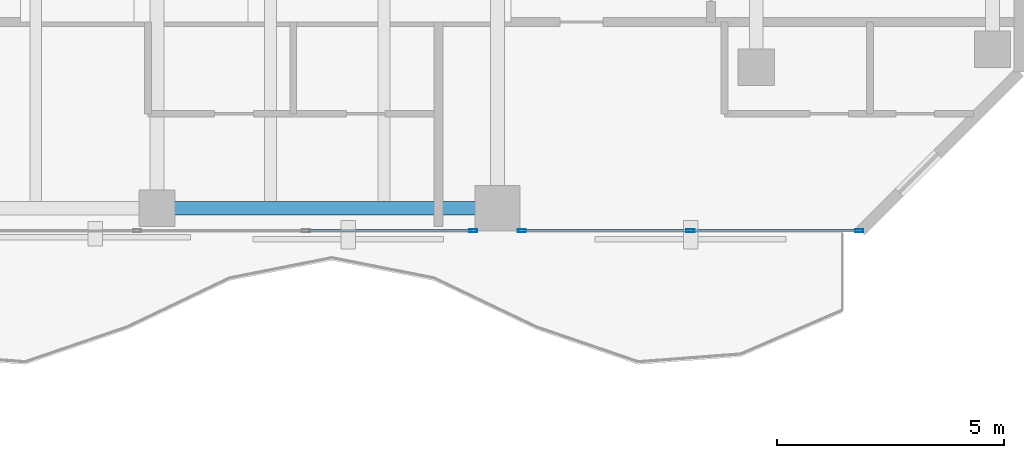
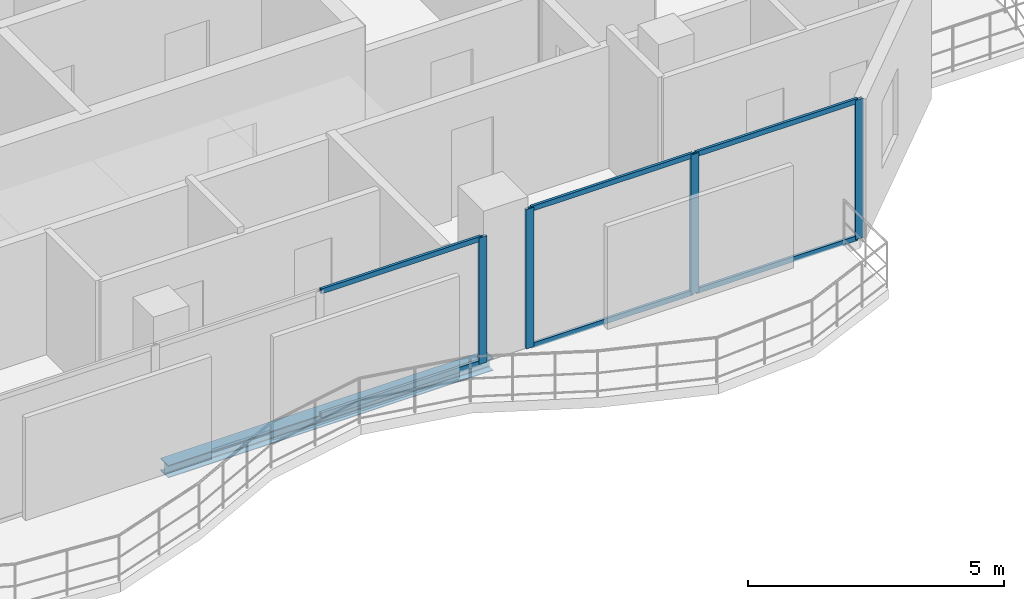
# One storey, part 12 of 23: 10 members, 1 beam, 2 elements without a shape of their own.
"""IFC4 building model written with IfcOpenShell, lengths in metres."""

import ifcopenshell
import ifcopenshell.guid

model = None  # the IFC model being written
_history = None  # IfcOwnerHistory: only IFC2X3 demands one
_inside = {}  # id of a spatial element -> (the spatial element, [elements in it])
_under = {}  # id of a project, library or spatial element -> (it, [spatial elements below it])
_declared = {}  # id of a project -> (the project, [libraries it declares])
_typed = {}  # id of a type object -> (the type object, [elements of that type])
_made_of = {}  # id of a material, layer set ... -> (it, [elements and type objects made of it])


def new_model(schema):
    """Start an empty IFC model of exactly this schema.

    Asked for "IFC4X3", IfcOpenShell would pick the latest addendum, in which some entities
    have other attributes; the version numbers below select the first issue.
    IFC2X3 requires an IfcOwnerHistory on every rooted entity: one is made here for all.
    """
    global model, _history
    if schema == "IFC4X3":
        model = ifcopenshell.file(schema_version=(4, 3, 0, 0))
    else:
        model = ifcopenshell.file(schema=schema)
    _inside.clear()
    _under.clear()
    _declared.clear()
    _typed.clear()
    _made_of.clear()
    _history = None
    if model.schema == "IFC2X3":
        org = make("IfcOrganization", Name="unknown")
        user = make(
            "IfcPersonAndOrganization",
            ThePerson=make("IfcPerson", FamilyName="unknown"),
            TheOrganization=org,
        )
        app = make(
            "IfcApplication",
            ApplicationDeveloper=org,
            Version="unknown",
            ApplicationFullName="unknown",
            ApplicationIdentifier="unknown",
        )
        _history = make(
            "IfcOwnerHistory",
            OwningUser=user,
            OwningApplication=app,
            ChangeAction="ADDED",
            CreationDate=0,
        )
    return model


def make(cls, **values):
    """One entity of the class cls with the attributes given. An attribute that is None is left unset."""
    return model.create_entity(
        cls, **{name: value for name, value in values.items() if value is not None}
    )


def rooted(cls, **values):
    """An entity with a GlobalId (a new one), such as an element, a storey or a relation."""
    return make(cls, GlobalId=ifcopenshell.guid.new(), OwnerHistory=_history, **values)


def si_unit(unit_type, name, prefix=None):
    """IfcSIUnit, for example si_unit("LENGTHUNIT", "METRE", prefix="MILLI")."""
    return make("IfcSIUnit", UnitType=unit_type, Prefix=prefix, Name=name)


def assignment(units):
    """IfcUnitAssignment: the units of a project."""
    return None if units is None else make("IfcUnitAssignment", Units=units)


def point(xyz):
    """IfcCartesianPoint."""
    return None if xyz is None else make("IfcCartesianPoint", Coordinates=xyz)


def direction(xyz):
    """IfcDirection."""
    return None if xyz is None else make("IfcDirection", DirectionRatios=xyz)


def frame(location, z_axis=None, x_axis=None):
    """IfcAxis2Placement3D, a coordinate frame: its origin and axes. An axis left out is left unset."""
    return make(
        "IfcAxis2Placement3D",
        Location=point(location),
        Axis=direction(z_axis),
        RefDirection=direction(x_axis),
    )


def frame_2d(location, x_axis=None):
    """IfcAxis2Placement2D, a coordinate frame in the plane: its origin and x axis."""
    return make(
        "IfcAxis2Placement2D", Location=point(location), RefDirection=direction(x_axis)
    )


def origin():
    """The frame at (0, 0, 0) with its axes left unset."""
    return frame((0.0, 0.0, 0.0))


def origin_2d():
    """The frame at (0, 0) in the plane with its x axis left unset."""
    return frame_2d((0.0, 0.0))


def place(relative_to, where):
    """IfcLocalPlacement: puts the frame where relative to a parent placement (None: the world)."""
    return make(
        "IfcLocalPlacement", PlacementRelTo=relative_to, RelativePlacement=where
    )


def context(
    kind, dimensions, precision=None, world=None, true_north=None, identifier=None
):
    """IfcGeometricRepresentationContext, for example the 3D "Model" context."""
    return make(
        "IfcGeometricRepresentationContext",
        ContextIdentifier=identifier,
        ContextType=kind,
        CoordinateSpaceDimension=dimensions,
        Precision=precision,
        WorldCoordinateSystem=world,
        TrueNorth=true_north,
    )


def subcontext(parent, identifier, kind, view, scale=None):
    """IfcGeometricRepresentationSubContext, for example "Body" below "Model"."""
    return make(
        "IfcGeometricRepresentationSubContext",
        ContextIdentifier=identifier,
        ContextType=kind,
        ParentContext=parent,
        TargetScale=scale,
        TargetView=view,
    )


def project(units=None, contexts=None):
    """IfcProject with its units and contexts."""
    return rooted(
        "IfcProject",
        Name="project",
        RepresentationContexts=contexts,
        UnitsInContext=assignment(units),
    )


def spatial(cls, under=None, at=None, **own):
    """A site, building, storey or space (cls), placed at a placement, below another one or the project."""
    s = rooted(cls, ObjectPlacement=at, **own)
    if under is not None:
        _under.setdefault(under.id(), (under, []))[1].append(s)
    return s


def profile(cls, at=None, kind="AREA", **sizes):
    """A parametric profile (cls). Its sizes go by their IFC names, for example OverallWidth=200.0."""
    return make(cls, ProfileType=kind, Position=at, **sizes)


def hollow_rectangle(**sizes):
    """IfcRectangleHollowProfileDef."""
    return profile("IfcRectangleHollowProfileDef", **sizes)


def i_section(**sizes):
    """IfcIShapeProfileDef."""
    return profile("IfcIShapeProfileDef", **sizes)


def extrude(swept, where, along, depth):
    """IfcExtrudedAreaSolid: the profile swept, set in the frame where, extruded along a direction by depth."""
    return make(
        "IfcExtrudedAreaSolid",
        SweptArea=swept,
        Position=where,
        ExtrudedDirection=direction(along),
        Depth=depth,
    )


def shape(context_of_items, identifier, shape_type, items):
    """IfcShapeRepresentation: the items that make up one representation, for example the "Body"."""
    return make(
        "IfcShapeRepresentation",
        ContextOfItems=context_of_items,
        RepresentationIdentifier=identifier,
        RepresentationType=shape_type,
        Items=items,
    )


def material(Name=None, Category=None):
    """IfcMaterial."""
    return make("IfcMaterial", Name=Name, Category=Category)


def layer(
    of_material, thickness, ventilated=None, Name=None, Category=None, Priority=None
):
    """IfcMaterialLayer: one layer of a wall or slab, of a material (None: an air gap)."""
    return make(
        "IfcMaterialLayer",
        Material=of_material,
        LayerThickness=thickness,
        IsVentilated=ventilated,
        Name=Name,
        Category=Category,
        Priority=Priority,
    )


def layer_set(layers, Name=None):
    """IfcMaterialLayerSet."""
    return make("IfcMaterialLayerSet", MaterialLayers=layers, LayerSetName=Name)


def material_profile(
    of_material, cross_section, Name=None, Category=None, Priority=None
):
    """IfcMaterialProfile: a cross section and its material."""
    return make(
        "IfcMaterialProfile",
        Name=Name,
        Material=of_material,
        Profile=cross_section,
        Priority=Priority,
        Category=Category,
    )


def profile_set(profiles, Name=None, composite=None):
    """IfcMaterialProfileSet."""
    return make(
        "IfcMaterialProfileSet",
        Name=Name,
        MaterialProfiles=profiles,
        CompositeProfile=composite,
    )


def made_of(thing, what):
    """Note that an element or type object is made of a material, layer set ...; save() writes the relation."""
    if what is not None:
        _made_of.setdefault(what.id(), (what, []))[1].append(thing)
    return thing


def type_object(cls, material=None, **own):
    """A type object (cls), such as IfcWallType, which elements share."""
    return made_of(rooted(cls, **own), material)


def element(
    cls,
    number,
    at=None,
    inside=None,
    cuts=None,
    type_object=None,
    material=None,
    context=None,
    identifier="Body",
    shape_type=None,
    held_by="IfcProductDefinitionShape",
    body=None,
    shapes=None,
    **own,
):
    """One element of the class cls, such as IfcWall. Its Tag is "e" and its number.

    at: its placement. inside: the storey or other place that contains it. cuts: it is an
    opening in that element (IfcRelVoidsElement). A single representation is given by context,
    identifier, shape_type and body (its items); several are given by shapes. held_by: the class
    of the entity that holds the representations. save() writes the other relations.
    """
    e = rooted(cls, Tag="e%d" % number, ObjectPlacement=at, **own)
    if body is not None:
        shapes = [shape(context, identifier, shape_type, body)]
    if shapes is not None:
        e.Representation = make(held_by, Representations=shapes)
    if inside is not None:
        _inside.setdefault(inside.id(), (inside, []))[1].append(e)
    if cuts is not None:
        rooted(
            "IfcRelVoidsElement", RelatingBuildingElement=cuts, RelatedOpeningElement=e
        )
    if type_object is not None:
        _typed.setdefault(type_object.id(), (type_object, []))[1].append(e)
    return made_of(e, material)


def aggregate(whole, parts):
    """IfcRelAggregates: a whole, such as a stair, and the parts it consists of."""
    return rooted("IfcRelAggregates", RelatingObject=whole, RelatedObjects=parts)


def save(model, path):
    """Write the relations noted so far, then the file.

    IfcRelAggregates (storeys below a building ...), IfcRelContainedInSpatialStructure (elements
    in a storey), IfcRelDefinesByType, IfcRelAssociatesMaterial and IfcRelDeclares: one each for
    every whole, place, type object, material and project.
    """
    for whole, parts in _under.values():
        aggregate(whole, parts)
    for where, things in _inside.values():
        rooted(
            "IfcRelContainedInSpatialStructure",
            RelatedElements=things,
            RelatingStructure=where,
        )
    for kind, things in _typed.values():
        rooted("IfcRelDefinesByType", RelatedObjects=things, RelatingType=kind)
    for what, things in _made_of.values():
        rooted("IfcRelAssociatesMaterial", RelatedObjects=things, RelatingMaterial=what)
    for by, libraries in _declared.values():
        rooted("IfcRelDeclares", RelatingContext=by, RelatedDefinitions=libraries)
    model.write(path)


model = new_model("IFC4")

# Units and contexts
model_context = context("Model", 3, precision=1e-05, world=origin(), true_north=direction((0.0, 1.0)))
body_context = subcontext(model_context, "Body", "Model", "MODEL_VIEW")
ifc_project = project(units=[si_unit("LENGTHUNIT", "METRE"), si_unit("AREAUNIT", "SQUARE_METRE"), si_unit("VOLUMEUNIT", "CUBIC_METRE"), si_unit("PLANEANGLEUNIT", "RADIAN"), si_unit("MASSUNIT", "GRAM", prefix="KILO")], contexts=[model_context])

# Site, building, storey
site_placement = place(None, origin())
site = spatial("IfcSite", under=ifc_project, at=site_placement, CompositionType="ELEMENT")
building_placement = place(site_placement, origin())
building = spatial("IfcBuilding", under=site, at=building_placement, Name="Catumbela Crestline Tower", CompositionType="ELEMENT")
storey_placement = place(building_placement, frame((0.0, 0.0, 190.2)))
storey = spatial("IfcBuildingStorey", under=building, at=storey_placement, Name="L49", CompositionType="ELEMENT", Elevation=190.2)

# Curtain wall, member
ifc_material_1 = material(Name="Aluminium alloy AW-6060-T66", Category="aluminium")
ifc_layer = layer(ifc_material_1, 0.18, Name="Aluminium alloy AW-6060-T66")
ifc_layer_set = layer_set([ifc_layer], Name="Aluminium alloy AW-6060-T66")
curtain_wall_type = type_object("IfcCurtainWallType", Name="CWU-Z3", PredefinedType="USERDEFINED", material=ifc_layer_set)
curtain_wall_1_placement = place(storey_placement, origin())
curtain_wall_1 = element("IfcCurtainWall", 1, at=curtain_wall_1_placement, inside=storey, type_object=curtain_wall_type, Name="L49 Unitised Curtain Wall CW-L49-E3S2", ObjectType="UNITISED", PredefinedType="USERDEFINED")
ifc_material_profile_1 = material_profile(ifc_material_1, hollow_rectangle(XDim=0.065, YDim=0.18, WallThickness=0.004, at=origin_2d()), Name="ALU 180x65x4")
ifc_profile_set_1 = profile_set([ifc_material_profile_1], Name="Aluminium alloy AW-6060-T66")
member_type_1 = type_object("IfcMemberType", Name="MUL-180X65", PredefinedType="MULLION", material=ifc_profile_set_1)
member_1_placement = place(storey_placement, frame((38.9675, 24.0, 0.0), z_axis=(0.0, 0.0, 1.0), x_axis=(0.0, 1.0, 0.0)))
member_1 = element("IfcMember", 2, at=member_1_placement, type_object=member_type_1, Name="CWU-Z3 mullion 4", PredefinedType="MULLION", context=body_context, shape_type="SweptSolid", body=[
    extrude(hollow_rectangle(XDim=0.065, YDim=0.18, WallThickness=0.004, at=origin_2d()), origin(), (0.0, 0.0, 1.0), 3.02),
])

# Curtain wall, members
curtain_wall_2_placement = place(storey_placement, origin())
curtain_wall_2 = element("IfcCurtainWall", 3, at=curtain_wall_2_placement, inside=storey, type_object=curtain_wall_type, Name="L49 Unitised Curtain Wall CW-L49-E3S3", ObjectType="UNITISED", PredefinedType="USERDEFINED")
member_2_placement = place(storey_placement, frame((40.0325, 24.0, 0.0), z_axis=(0.0, 0.0, 1.0), x_axis=(0.0, 1.0, 0.0)))
member_2 = element("IfcMember", 4, at=member_2_placement, type_object=member_type_1, Name="CWU-Z3 mullion 1", PredefinedType="MULLION", context=body_context, shape_type="SweptSolid", body=[
    extrude(hollow_rectangle(XDim=0.065, YDim=0.18, WallThickness=0.004, at=origin_2d()), origin(), (0.0, 0.0, 1.0), 3.33),
])
member_3_placement = place(storey_placement, frame((43.75, 24.0, 0.0), z_axis=(0.0, 0.0, 1.0), x_axis=(0.0, 1.0, 0.0)))
member_3 = element("IfcMember", 5, at=member_3_placement, type_object=member_type_1, Name="CWU-Z3 mullion 2", PredefinedType="MULLION", context=body_context, shape_type="SweptSolid", body=[
    extrude(hollow_rectangle(XDim=0.065, YDim=0.18, WallThickness=0.004, at=origin_2d()), origin(), (0.0, 0.0, 1.0), 3.33),
])
member_4_placement = place(storey_placement, frame((47.4675, 24.0, 0.0), z_axis=(0.0, 0.0, 1.0), x_axis=(0.0, 1.0, 0.0)))
member_4 = element("IfcMember", 6, at=member_4_placement, type_object=member_type_1, Name="CWU-Z3 mullion 3", PredefinedType="MULLION", context=body_context, shape_type="SweptSolid", body=[
    extrude(hollow_rectangle(XDim=0.065, YDim=0.18, WallThickness=0.004, at=origin_2d()), origin(), (0.0, 0.0, 1.0), 3.33),
])

# Beam
ifc_material_2 = material(Name="Structural steel S355J2", Category="steel")
ifc_material_profile_2 = material_profile(ifc_material_2, i_section(OverallWidth=0.3, OverallDepth=0.3, WebThickness=0.011, FlangeThickness=0.019, FilletRadius=0.027, at=origin_2d()), Name="HEB 300")
ifc_profile_set_2 = profile_set([ifc_material_profile_2], Name="Structural steel S355J2")
beam_type = type_object("IfcBeamType", Name="BS-HEB300", PredefinedType="SPANDREL", material=ifc_profile_set_2)
beam_placement = place(storey_placement, frame((32.08, 24.5, -0.41), z_axis=(1.0, 0.0, 0.0), x_axis=(0.0, 1.0, 0.0)))
element("IfcBeam", 7, at=beam_placement, inside=storey, type_object=beam_type, Name="L49 Spandrel SP-L49-S05", PredefinedType="SPANDREL", context=body_context, shape_type="SweptSolid", body=[
    extrude(i_section(OverallWidth=0.3, OverallDepth=0.3, WebThickness=0.011, FlangeThickness=0.019, FilletRadius=0.027, at=origin_2d()), origin(), (0.0, 0.0, 1.0), 7.34),
])

# Member
ifc_material_profile_3 = material_profile(ifc_material_1, hollow_rectangle(XDim=0.06, YDim=0.12, WallThickness=0.0035, at=origin_2d()), Name="ALU 120x60x3.5")
ifc_profile_set_3 = profile_set([ifc_material_profile_3], Name="Aluminium alloy AW-6060-T66")
member_type_2 = type_object("IfcMemberType", Name="TRN-120X60", PredefinedType="USERDEFINED", material=ifc_profile_set_3)
member_5_placement = place(storey_placement, frame((35.3158, 24.0, 0.03), z_axis=(1.0, 0.0, 0.0), x_axis=(0.0, 1.0, 0.0)))
member_5 = element("IfcMember", 8, at=member_5_placement, type_object=member_type_2, Name="CWU-Z3 transom 3.1", ObjectType="TRANSOM", PredefinedType="USERDEFINED", context=body_context, shape_type="SweptSolid", body=[
    extrude(hollow_rectangle(XDim=0.06, YDim=0.12, WallThickness=0.0035, at=origin_2d()), origin(), (0.0, 0.0, 1.0), 3.6192),
])

member_6_placement = place(storey_placement, frame((35.3158, 24.0, 2.99), z_axis=(1.0, 0.0, 0.0), x_axis=(0.0, 1.0, 0.0)))
member_6 = element("IfcMember", 9, at=member_6_placement, type_object=member_type_2, Name="CWU-Z3 transom 3.2", ObjectType="TRANSOM", PredefinedType="USERDEFINED", context=body_context, shape_type="SweptSolid", body=[
    extrude(hollow_rectangle(XDim=0.06, YDim=0.12, WallThickness=0.0035, at=origin_2d()), origin(), (0.0, 0.0, 1.0), 3.6192),
])

aggregate(curtain_wall_1, [member_1, member_5, member_6])

member_7_placement = place(storey_placement, frame((40.065, 24.0, 0.03), z_axis=(1.0, 0.0, 0.0), x_axis=(0.0, 1.0, 0.0)))
member_7 = element("IfcMember", 10, at=member_7_placement, type_object=member_type_2, Name="CWU-Z3 transom 1.1", ObjectType="TRANSOM", PredefinedType="USERDEFINED", context=body_context, shape_type="SweptSolid", body=[
    extrude(hollow_rectangle(XDim=0.06, YDim=0.12, WallThickness=0.0035, at=origin_2d()), origin(), (0.0, 0.0, 1.0), 3.6525),
])

member_8_placement = place(storey_placement, frame((40.065, 24.0, 3.3), z_axis=(1.0, 0.0, 0.0), x_axis=(0.0, 1.0, 0.0)))
member_8 = element("IfcMember", 11, at=member_8_placement, type_object=member_type_2, Name="CWU-Z3 transom 1.2", ObjectType="TRANSOM", PredefinedType="USERDEFINED", context=body_context, shape_type="SweptSolid", body=[
    extrude(hollow_rectangle(XDim=0.06, YDim=0.12, WallThickness=0.0035, at=origin_2d()), origin(), (0.0, 0.0, 1.0), 3.6525),
])

member_9_placement = place(storey_placement, frame((43.7825, 24.0, 0.03), z_axis=(1.0, 0.0, 0.0), x_axis=(0.0, 1.0, 0.0)))
member_9 = element("IfcMember", 12, at=member_9_placement, type_object=member_type_2, Name="CWU-Z3 transom 2.1", ObjectType="TRANSOM", PredefinedType="USERDEFINED", context=body_context, shape_type="SweptSolid", body=[
    extrude(hollow_rectangle(XDim=0.06, YDim=0.12, WallThickness=0.0035, at=origin_2d()), origin(), (0.0, 0.0, 1.0), 3.6525),
])

member_10_placement = place(storey_placement, frame((43.7825, 24.0, 3.3), z_axis=(1.0, 0.0, 0.0), x_axis=(0.0, 1.0, 0.0)))
member_10 = element("IfcMember", 13, at=member_10_placement, type_object=member_type_2, Name="CWU-Z3 transom 2.2", ObjectType="TRANSOM", PredefinedType="USERDEFINED", context=body_context, shape_type="SweptSolid", body=[
    extrude(hollow_rectangle(XDim=0.06, YDim=0.12, WallThickness=0.0035, at=origin_2d()), origin(), (0.0, 0.0, 1.0), 3.6525),
])

aggregate(curtain_wall_2, [member_2, member_3, member_4, member_7, member_8, member_9, member_10])

save(model, "model.ifc")
